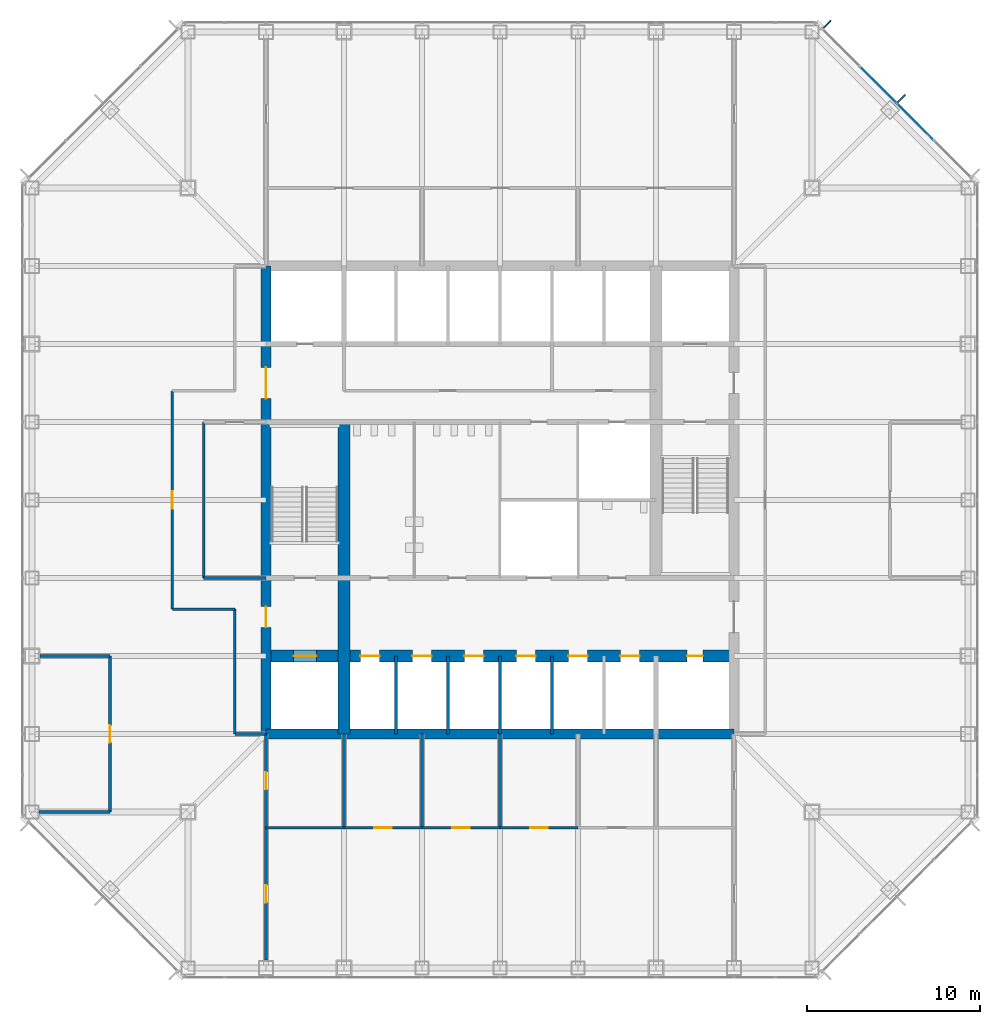
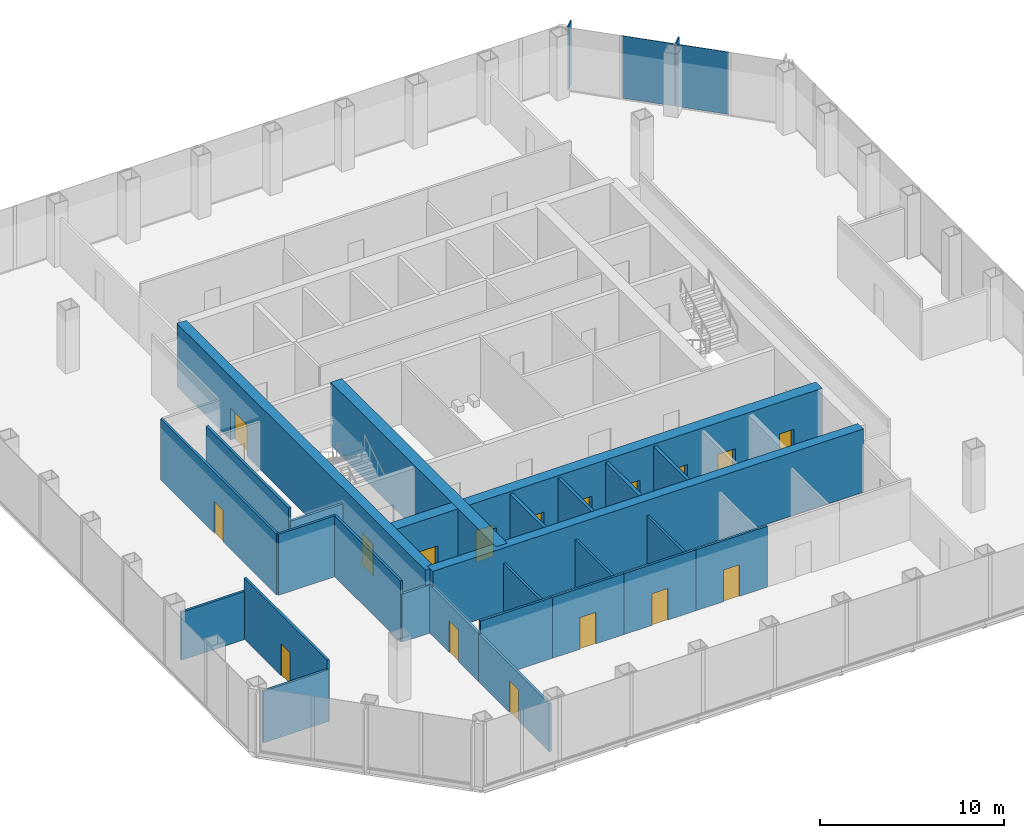
# One storey, part 8 of 12: 26 walls, 17 doors, 4 plates, 17 openings, 1 element without a shape of its own.
"""IFC4 building model written with IfcOpenShell, lengths in metres."""

from ifc_helpers import new_model, si_unit, direction, frame, frame_2d, origin, origin_2d, place, context, subcontext, project, spatial, rectangle, extrude, material, layer, layer_set, type_object, element, fill, aggregate, save


model = new_model("IFC4")

# Units and contexts
model_context = context("Model", 3, precision=1e-05, world=origin(), true_north=direction((0.0, 1.0)))
body_context = subcontext(model_context, "Body", "Model", "MODEL_VIEW")
ifc_project = project(units=[si_unit("LENGTHUNIT", "METRE"), si_unit("AREAUNIT", "SQUARE_METRE"), si_unit("VOLUMEUNIT", "CUBIC_METRE"), si_unit("PLANEANGLEUNIT", "RADIAN"), si_unit("MASSUNIT", "GRAM", prefix="KILO")], contexts=[model_context])

# Site, building, storey
site_placement = place(None, origin())
site = spatial("IfcSite", under=ifc_project, at=site_placement, CompositionType="ELEMENT")
building_placement = place(site_placement, origin())
building = spatial("IfcBuilding", under=site, at=building_placement, Name="Corais Broadcast Tower", CompositionType="ELEMENT")
storey_placement = place(building_placement, frame((0.0, 0.0, 54.199951171875)))
storey = spatial("IfcBuildingStorey", under=building, at=storey_placement, Name="L11", CompositionType="ELEMENT", Elevation=54.199951171875)

# Curtain wall, plates
ifc_material_1 = material(Name="Aluminium and glass", Category="aluminium")
curtain_wall_type = type_object("IfcCurtainWallType", Name="Unitised fritted curtain wall CW1", PredefinedType="NOTDEFINED", material=ifc_material_1)
curtain_wall_placement = place(storey_placement, origin())
curtain_wall = element("IfcCurtainWall", 1, at=curtain_wall_placement, inside=storey, type_object=curtain_wall_type, Name="CW1 curtain wall L11 5", PredefinedType="NOTDEFINED")
ifc_material_2 = material(Name="Ceramic-fritted laminated glass", Category="glass")
ifc_layer_1 = layer(ifc_material_2, 0.030029296875)
ifc_layer_set_1 = layer_set([ifc_layer_1], Name="Ceramic-fritted laminated glass")
plate_type_1 = type_object("IfcPlateType", Name="Fritted glass panel CW1", PredefinedType="CURTAIN_PANEL", material=ifc_layer_set_1)
plate_1_placement = place(storey_placement, frame((50.9658203125, 48.81201171875, 0.06494140625), z_axis=(0.0, 0.0, 1.0), x_axis=(0.707106781187, -0.707106781187, 0.0)))
plate_1 = element("IfcPlate", 2, at=plate_1_placement, type_object=plate_type_1, Name="CW1 panel 3", PredefinedType="CURTAIN_PANEL", context=body_context, shape_type="SweptSolid", body=[
    extrude(rectangle(XDim=2.98095703125, YDim=0.030029296875, at=origin_2d()), origin(), (0.0, 0.0, 1.0), 4.135009765625),
])
ifc_material_3 = material(Name="Clear laminated glass", Category="glass")
ifc_layer_2 = layer(ifc_material_3, 0.033935546875)
ifc_layer_set_2 = layer_set([ifc_layer_2], Name="Clear laminated glass")
plate_type_2 = type_object("IfcPlateType", Name="Operable glass panel CW1", PredefinedType="CURTAIN_PANEL", material=ifc_layer_set_2)
plate_2_placement = place(storey_placement, frame((48.81201171875, 50.9658203125, 0.06494140625), z_axis=(0.0, 0.0, 1.0), x_axis=(0.707106781187, -0.707106781187, 0.0)))
plate_2 = element("IfcPlate", 3, at=plate_2_placement, type_object=plate_type_2, Name="CW1 operable panel 2", PredefinedType="CURTAIN_PANEL", context=body_context, shape_type="SweptSolid", body=[
    extrude(rectangle(XDim=2.98095703125, YDim=0.033935546875, at=origin_2d()), origin(), (0.0, 0.0, 1.0), 4.135009765625),
])
aggregate(curtain_wall, [plate_2, plate_1])

# Plates
ifc_material_4 = material(Name="Granite stone cladding", Category="masonry")
ifc_layer_3 = layer(ifc_material_4, 0.080078125)
ifc_layer_set_3 = layer_set([ifc_layer_3], Name="Granite stone cladding")
plate_type_3 = type_object("IfcPlateType", Name="Stone screen fin 80x600", PredefinedType="USERDEFINED", material=ifc_layer_set_3)
for number, where, z_axis, x_axis, name in (
    (4, (45.885009765625, 54.4541015625, 0.0), (0.0, 0.0, 1.0), (0.707106781187, -0.707106781187, 0.0), "SF1 stone screen fin L11"),
    (5, (50.169677734375, 50.169677734375, 0.0), (0.0, 0.0, 1.0), (0.707106781187, -0.707106781187, 0.0), "SF1 stone screen fin L11"),
):
    element("IfcPlate", number, at=place(storey_placement, frame(where, z_axis=z_axis, x_axis=x_axis)), inside=storey, type_object=plate_type_3, Name=name, ObjectType="STONE SCREEN FIN", PredefinedType="USERDEFINED", context=body_context, shape_type="SweptSolid", body=[
        extrude(rectangle(XDim=0.080078125, YDim=0.60009765625, at=origin_2d()), origin(), (0.0, 0.0, 1.0), 4.199951171875),
    ])

# Wall
ifc_material_5 = material(Name="Concrete C50/60", Category="concrete")
ifc_layer_4 = layer(ifc_material_5, 0.699951171875)
ifc_layer_set_4 = layer_set([ifc_layer_4], Name="Concrete C50/60")
wall_type_1 = type_object("IfcWallType", Name="Core spine wall 700", PredefinedType="SHEAR", material=ifc_layer_set_4)
wall_1_placement = place(storey_placement, frame((18.0, 13.5, 0.0), z_axis=(0.0, 0.0, 1.0), x_axis=(0.0, 1.0, 0.0)))
element("IfcWall", 6, at=wall_1_placement, inside=storey, type_object=wall_type_1, Name="CR700 core wall X18A L11", PredefinedType="SHEAR", context=body_context, shape_type="SweptSolid", body=[
    extrude(rectangle(XDim=18.0, YDim=0.699951171875, at=frame_2d((9.0, 0.0))), origin(), (0.0, 0.0, 1.0), 4.199951171875),
])

# Wall, openings, doors
wall_2_placement = place(storey_placement, frame((13.5, 18.0, 0.0), z_axis=(0.0, 0.0, 1.0), x_axis=(1.0, 0.0, 0.0)))
wall_2 = element("IfcWall", 7, at=wall_2_placement, inside=storey, type_object=wall_type_1, Name="CR700 core wall Y18 L11", PredefinedType="SHEAR", context=body_context, shape_type="SweptSolid", body=[
    extrude(rectangle(XDim=27.0, YDim=0.699951171875, at=frame_2d((13.5, 0.0))), origin(), (0.0, 0.0, 1.0), 4.199951171875),
])
opening_1_placement = place(wall_2_placement, frame((24.300048828125, 0.0, 0.0)))
opening_1 = element("IfcOpeningElement", 8, at=opening_1_placement, cuts=wall_2, Name="Opening RD1", PredefinedType="OPENING", context=body_context, shape_type="SweptSolid", body=[
    extrude(rectangle(XDim=0.89990234375, YDim=2.10009765625, at=frame_2d((0.449951171875, 1.050048828125))), frame((0.0, 0.35986328125, 0.0), z_axis=(0.0, -1.0, 0.0), x_axis=(1.0, 0.0, 0.0)), (0.0, 0.0, 1.0), 0.719970703125),
])
opening_2_placement = place(wall_2_placement, frame((5.449951171875, 0.0, 0.0)))
opening_2 = element("IfcOpeningElement", 9, at=opening_2_placement, cuts=wall_2, Name="Opening LD1", PredefinedType="OPENING", context=body_context, shape_type="SweptSolid", body=[
    extrude(rectangle(XDim=1.10009765625, YDim=2.10009765625, at=frame_2d((0.550048828125, 1.050048828125))), frame((0.0, 0.35986328125, 0.0), z_axis=(0.0, -1.0, 0.0), x_axis=(1.0, 0.0, 0.0)), (0.0, 0.0, 1.0), 0.719970703125),
])
opening_3_placement = place(wall_2_placement, frame((8.449951171875, 0.0, 0.0)))
opening_3 = element("IfcOpeningElement", 10, at=opening_3_placement, cuts=wall_2, Name="Opening LD1", PredefinedType="OPENING", context=body_context, shape_type="SweptSolid", body=[
    extrude(rectangle(XDim=1.10009765625, YDim=2.10009765625, at=frame_2d((0.550048828125, 1.050048828125))), frame((0.0, 0.35986328125, 0.0), z_axis=(0.0, -1.0, 0.0), x_axis=(1.0, 0.0, 0.0)), (0.0, 0.0, 1.0), 0.719970703125),
])
opening_4_placement = place(wall_2_placement, frame((11.449951171875, 0.0, 0.0)))
opening_4 = element("IfcOpeningElement", 11, at=opening_4_placement, cuts=wall_2, Name="Opening LD1", PredefinedType="OPENING", context=body_context, shape_type="SweptSolid", body=[
    extrude(rectangle(XDim=1.10009765625, YDim=2.10009765625, at=frame_2d((0.550048828125, 1.050048828125))), frame((0.0, 0.35986328125, 0.0), z_axis=(0.0, -1.0, 0.0), x_axis=(1.0, 0.0, 0.0)), (0.0, 0.0, 1.0), 0.719970703125),
])
opening_5_placement = place(wall_2_placement, frame((14.449951171875, 0.0, 0.0)))
opening_5 = element("IfcOpeningElement", 12, at=opening_5_placement, cuts=wall_2, Name="Opening LD1", PredefinedType="OPENING", context=body_context, shape_type="SweptSolid", body=[
    extrude(rectangle(XDim=1.10009765625, YDim=2.10009765625, at=frame_2d((0.550048828125, 1.050048828125))), frame((0.0, 0.35986328125, 0.0), z_axis=(0.0, -1.0, 0.0), x_axis=(1.0, 0.0, 0.0)), (0.0, 0.0, 1.0), 0.719970703125),
])
opening_6_placement = place(wall_2_placement, frame((17.449951171875, 0.0, 0.0)))
opening_6 = element("IfcOpeningElement", 13, at=opening_6_placement, cuts=wall_2, Name="Opening LD1", PredefinedType="OPENING", context=body_context, shape_type="SweptSolid", body=[
    extrude(rectangle(XDim=1.10009765625, YDim=2.10009765625, at=frame_2d((0.550048828125, 1.050048828125))), frame((0.0, 0.35986328125, 0.0), z_axis=(0.0, -1.0, 0.0), x_axis=(1.0, 0.0, 0.0)), (0.0, 0.0, 1.0), 0.719970703125),
])
opening_7_placement = place(wall_2_placement, frame((20.449951171875, 0.0, 0.0)))
opening_7 = element("IfcOpeningElement", 14, at=opening_7_placement, cuts=wall_2, Name="Opening LD1", PredefinedType="OPENING", context=body_context, shape_type="SweptSolid", body=[
    extrude(rectangle(XDim=1.10009765625, YDim=2.10009765625, at=frame_2d((0.550048828125, 1.050048828125))), frame((0.0, 0.35986328125, 0.0), z_axis=(0.0, -1.0, 0.0), x_axis=(1.0, 0.0, 0.0)), (0.0, 0.0, 1.0), 0.719970703125),
])
opening_8_placement = place(wall_2_placement, frame((1.60009765625, 0.0, 0.0)))
opening_8 = element("IfcOpeningElement", 15, at=opening_8_placement, cuts=wall_2, Name="Opening LD2", PredefinedType="OPENING", context=body_context, shape_type="SweptSolid", body=[
    extrude(rectangle(XDim=1.300048828125, YDim=2.199951171875, at=frame_2d((0.64990234375, 1.10009765625))), frame((0.0, 0.35986328125, 0.0), z_axis=(0.0, -1.0, 0.0), x_axis=(1.0, 0.0, 0.0)), (0.0, 0.0, 1.0), 0.719970703125),
])
ifc_material_6 = material(Name="Stainless steel lift door", Category="steel")
door_type_1 = type_object("IfcDoorType", Name="Lift landing door 1100x2100", OperationType="SLIDING_TO_LEFT", PredefinedType="DOOR", material=ifc_material_6)
door_1_placement = place(opening_2_placement, origin())
door_1 = element("IfcDoor", 16, at=door_1_placement, inside=storey, type_object=door_type_1, Name="LD1 PL1 landing door L11", OperationType="SLIDING_TO_LEFT", OverallHeight=2.10009765625, OverallWidth=1.10009765625, PredefinedType="DOOR", context=body_context, shape_type="SweptSolid", body=[
    extrude(rectangle(XDim=1.10009765625, YDim=2.10009765625, at=frame_2d((0.550048828125, 1.050048828125))), frame((0.0, 0.02490234375, 0.0), z_axis=(0.0, -1.0, 0.0), x_axis=(1.0, 0.0, 0.0)), (0.0, 0.0, 1.0), 0.050048828125),
])
fill(opening_2, door_1)
door_2_placement = place(opening_3_placement, origin())
door_2 = element("IfcDoor", 17, at=door_2_placement, inside=storey, type_object=door_type_1, Name="LD1 PL2 landing door L11", OperationType="SLIDING_TO_LEFT", OverallHeight=2.10009765625, OverallWidth=1.10009765625, PredefinedType="DOOR", context=body_context, shape_type="SweptSolid", body=[
    extrude(rectangle(XDim=1.10009765625, YDim=2.10009765625, at=frame_2d((0.550048828125, 1.050048828125))), frame((0.0, 0.02490234375, 0.0), z_axis=(0.0, -1.0, 0.0), x_axis=(1.0, 0.0, 0.0)), (0.0, 0.0, 1.0), 0.050048828125),
])
fill(opening_3, door_2)
door_3_placement = place(opening_4_placement, origin())
door_3 = element("IfcDoor", 18, at=door_3_placement, inside=storey, type_object=door_type_1, Name="LD1 PL3 landing door L11", OperationType="SLIDING_TO_LEFT", OverallHeight=2.10009765625, OverallWidth=1.10009765625, PredefinedType="DOOR", context=body_context, shape_type="SweptSolid", body=[
    extrude(rectangle(XDim=1.10009765625, YDim=2.10009765625, at=frame_2d((0.550048828125, 1.050048828125))), frame((0.0, 0.02490234375, 0.0), z_axis=(0.0, -1.0, 0.0), x_axis=(1.0, 0.0, 0.0)), (0.0, 0.0, 1.0), 0.050048828125),
])
fill(opening_4, door_3)
door_4_placement = place(opening_5_placement, origin())
door_4 = element("IfcDoor", 19, at=door_4_placement, inside=storey, type_object=door_type_1, Name="LD1 PL4 landing door L11", OperationType="SLIDING_TO_LEFT", OverallHeight=2.10009765625, OverallWidth=1.10009765625, PredefinedType="DOOR", context=body_context, shape_type="SweptSolid", body=[
    extrude(rectangle(XDim=1.10009765625, YDim=2.10009765625, at=frame_2d((0.550048828125, 1.050048828125))), frame((0.0, 0.02490234375, 0.0), z_axis=(0.0, -1.0, 0.0), x_axis=(1.0, 0.0, 0.0)), (0.0, 0.0, 1.0), 0.050048828125),
])
fill(opening_5, door_4)
door_5_placement = place(opening_6_placement, origin())
door_5 = element("IfcDoor", 20, at=door_5_placement, inside=storey, type_object=door_type_1, Name="LD1 PL5 landing door L11", OperationType="SLIDING_TO_LEFT", OverallHeight=2.10009765625, OverallWidth=1.10009765625, PredefinedType="DOOR", context=body_context, shape_type="SweptSolid", body=[
    extrude(rectangle(XDim=1.10009765625, YDim=2.10009765625, at=frame_2d((0.550048828125, 1.050048828125))), frame((0.0, 0.02490234375, 0.0), z_axis=(0.0, -1.0, 0.0), x_axis=(1.0, 0.0, 0.0)), (0.0, 0.0, 1.0), 0.050048828125),
])
fill(opening_6, door_5)
door_6_placement = place(opening_7_placement, origin())
door_6 = element("IfcDoor", 21, at=door_6_placement, inside=storey, type_object=door_type_1, Name="LD1 PL6 landing door L11", OperationType="SLIDING_TO_LEFT", OverallHeight=2.10009765625, OverallWidth=1.10009765625, PredefinedType="DOOR", context=body_context, shape_type="SweptSolid", body=[
    extrude(rectangle(XDim=1.10009765625, YDim=2.10009765625, at=frame_2d((0.550048828125, 1.050048828125))), frame((0.0, 0.02490234375, 0.0), z_axis=(0.0, -1.0, 0.0), x_axis=(1.0, 0.0, 0.0)), (0.0, 0.0, 1.0), 0.050048828125),
])
fill(opening_7, door_6)
ifc_material_7 = material(Name="Stainless steel lift door", Category="steel")
door_type_2 = type_object("IfcDoorType", Name="Lift landing door 1300x2200", OperationType="SLIDING_TO_LEFT", PredefinedType="DOOR", material=ifc_material_7)
door_7_placement = place(opening_8_placement, origin())
door_7 = element("IfcDoor", 22, at=door_7_placement, inside=storey, type_object=door_type_2, Name="LD2 FL1 landing door L11", OperationType="SLIDING_TO_LEFT", OverallHeight=2.199951171875, OverallWidth=1.300048828125, PredefinedType="DOOR", context=body_context, shape_type="SweptSolid", body=[
    extrude(rectangle(XDim=1.300048828125, YDim=2.199951171875, at=frame_2d((0.64990234375, 1.10009765625))), frame((0.0, 0.02490234375, 0.0), z_axis=(0.0, -1.0, 0.0), x_axis=(1.0, 0.0, 0.0)), (0.0, 0.0, 1.0), 0.050048828125),
])
fill(opening_8, door_7)
ifc_material_8 = material(Name="Steel fire door", Category="steel")
door_type_3 = type_object("IfcDoorType", Name="Riser door 900x2100", OperationType="SINGLE_SWING_LEFT", PredefinedType="DOOR", material=ifc_material_8)
door_8_placement = place(opening_1_placement, origin())
door_8 = element("IfcDoor", 23, at=door_8_placement, inside=storey, type_object=door_type_3, Name="RD1 riser door L11", OperationType="SINGLE_SWING_RIGHT", OverallHeight=2.10009765625, OverallWidth=0.89990234375, PredefinedType="DOOR", context=body_context, shape_type="SweptSolid", body=[
    extrude(rectangle(XDim=0.89990234375, YDim=2.10009765625, at=frame_2d((0.449951171875, 1.050048828125))), frame((0.0, 0.02490234375, 0.0), z_axis=(0.0, -1.0, 0.0), x_axis=(1.0, 0.0, 0.0)), (0.0, 0.0, 1.0), 0.050048828125),
])
fill(opening_1, door_8)

# Wall
ifc_material_9 = material(Name="Concrete C50/60", Category="concrete")
ifc_layer_5 = layer(ifc_material_9, 0.60009765625)
ifc_layer_set_5 = layer_set([ifc_layer_5], Name="Concrete C50/60")
wall_type_2 = type_object("IfcWallType", Name="Core wall 600", PredefinedType="SHEAR", material=ifc_layer_set_5)
wall_3_placement = place(storey_placement, frame((13.5, 13.5, 0.0), z_axis=(0.0, 0.0, 1.0), x_axis=(1.0, 0.0, 0.0)))
element("IfcWall", 24, at=wall_3_placement, inside=storey, type_object=wall_type_2, Name="CR600 core wall S L11", PredefinedType="SHEAR", context=body_context, shape_type="SweptSolid", body=[
    extrude(rectangle(XDim=27.0, YDim=0.60009765625, at=frame_2d((13.5, 0.0))), origin(), (0.0, 0.0, 1.0), 4.199951171875),
])

# Wall, openings, doors
wall_4_placement = place(storey_placement, frame((13.5, 40.5, 0.0), z_axis=(0.0, 0.0, 1.0), x_axis=(0.0, -1.0, 0.0)))
wall_4 = element("IfcWall", 25, at=wall_4_placement, inside=storey, type_object=wall_type_2, Name="CR600 core wall W L11", PredefinedType="SHEAR", context=body_context, shape_type="SweptSolid", body=[
    extrude(rectangle(XDim=27.0, YDim=0.60009765625, at=frame_2d((13.5, 0.0))), origin(), (0.0, 0.0, 1.0), 4.199951171875),
])
opening_9_placement = place(wall_4_placement, frame((19.64990234375, 0.0, 0.0)))
opening_9 = element("IfcOpeningElement", 26, at=opening_9_placement, cuts=wall_4, Name="Opening FD1", PredefinedType="OPENING", context=body_context, shape_type="SweptSolid", body=[
    extrude(rectangle(XDim=1.199951171875, YDim=2.10009765625, at=frame_2d((0.60009765625, 1.050048828125))), frame((0.0, 0.31005859375, 0.0), z_axis=(0.0, -1.0, 0.0), x_axis=(1.0, 0.0, 0.0)), (0.0, 0.0, 1.0), 0.6201171875),
])
opening_10_placement = place(wall_4_placement, frame((5.85009765625, 0.0, 0.0)))
opening_10 = element("IfcOpeningElement", 27, at=opening_10_placement, cuts=wall_4, Name="Opening FD2", PredefinedType="OPENING", context=body_context, shape_type="SweptSolid", body=[
    extrude(rectangle(XDim=1.800048828125, YDim=2.10009765625, at=frame_2d((0.89990234375, 1.050048828125))), frame((0.0, 0.31005859375, 0.0), z_axis=(0.0, -1.0, 0.0), x_axis=(1.0, 0.0, 0.0)), (0.0, 0.0, 1.0), 0.6201171875),
])
ifc_material_10 = material(Name="Steel fire door", Category="steel")
door_type_4 = type_object("IfcDoorType", Name="Fire door 1200x2100", OperationType="SINGLE_SWING_LEFT", PredefinedType="DOOR", material=ifc_material_10)
door_9_placement = place(opening_9_placement, origin())
door_9 = element("IfcDoor", 28, at=door_9_placement, inside=storey, type_object=door_type_4, Name="FD1 fire lobby A door L11", OperationType="SINGLE_SWING_RIGHT", OverallHeight=2.10009765625, OverallWidth=1.199951171875, PredefinedType="DOOR", context=body_context, shape_type="SweptSolid", body=[
    extrude(rectangle(XDim=1.199951171875, YDim=2.10009765625, at=frame_2d((0.60009765625, 1.050048828125))), frame((0.0, 0.02490234375, 0.0), z_axis=(0.0, -1.0, 0.0), x_axis=(1.0, 0.0, 0.0)), (0.0, 0.0, 1.0), 0.050048828125),
])
fill(opening_9, door_9)
ifc_material_11 = material(Name="Steel fire door", Category="steel")
door_type_5 = type_object("IfcDoorType", Name="Fire door pair 1800x2100", OperationType="DOUBLE_DOOR_SINGLE_SWING", PredefinedType="DOOR", material=ifc_material_11)
door_10_placement = place(opening_10_placement, origin())
door_10 = element("IfcDoor", 29, at=door_10_placement, inside=storey, type_object=door_type_5, Name="FD2 lift lobby door L11", OperationType="SINGLE_SWING_LEFT", OverallHeight=2.10009765625, OverallWidth=1.800048828125, PredefinedType="DOOR", context=body_context, shape_type="SweptSolid", body=[
    extrude(rectangle(XDim=1.800048828125, YDim=2.10009765625, at=frame_2d((0.89990234375, 1.050048828125))), frame((0.0, 0.02490234375, 0.0), z_axis=(0.0, -1.0, 0.0), x_axis=(1.0, 0.0, 0.0)), (0.0, 0.0, 1.0), 0.050048828125),
])
fill(opening_10, door_10)

# Wall, opening, door
ifc_material_12 = material(Name="Gypsum board on steel studs", Category="steel")
ifc_layer_6 = layer(ifc_material_12, 0.14990234375)
ifc_layer_set_6 = layer_set([ifc_layer_6], Name="Gypsum board on steel studs")
wall_type_3 = type_object("IfcWallType", Name="Partition 150", PredefinedType="PARTITIONING", material=ifc_layer_set_6)
wall_5_placement = place(storey_placement, frame((8.10009765625, 33.300048828125, 0.0), z_axis=(0.0, 0.0, 1.0), x_axis=(0.0, -1.0, 0.0)))
wall_5 = element("IfcWall", 30, at=wall_5_placement, inside=storey, type_object=wall_type_3, Name="IW3 corridor wall L11", PredefinedType="PARTITIONING", context=body_context, shape_type="SweptSolid", body=[
    extrude(rectangle(XDim=12.60009765625, YDim=0.14990234375, at=frame_2d((6.300048828125, 0.0))), origin(), (0.0, 0.0, 1.0), 4.0400390625),
])
opening_11_placement = place(wall_5_placement, frame((5.800048828125, 0.0, 0.0)))
opening_11 = element("IfcOpeningElement", 31, at=opening_11_placement, cuts=wall_5, Name="Opening D1", PredefinedType="OPENING", context=body_context, shape_type="SweptSolid", body=[
    extrude(rectangle(XDim=1.0, YDim=2.10009765625, at=frame_2d((0.5, 1.050048828125))), frame((0.0, 0.0849609375, 0.0), z_axis=(0.0, -1.0, 0.0), x_axis=(1.0, 0.0, 0.0)), (0.0, 0.0, 1.0), 0.169921875),
])
ifc_material_13 = material(Name="Timber door", Category="wood")
door_type_6 = type_object("IfcDoorType", Name="Single door 1000x2100", OperationType="SINGLE_SWING_LEFT", PredefinedType="DOOR", material=ifc_material_13)
door_11_placement = place(opening_11_placement, origin())
door_11 = element("IfcDoor", 32, at=door_11_placement, inside=storey, type_object=door_type_6, Name="D1 workplace door L11", OperationType="SINGLE_SWING_LEFT", OverallHeight=2.10009765625, OverallWidth=1.0, PredefinedType="DOOR", context=body_context, shape_type="SweptSolid", body=[
    extrude(rectangle(XDim=1.0, YDim=2.10009765625, at=frame_2d((0.5, 1.050048828125))), frame((0.0, 0.02490234375, 0.0), z_axis=(0.0, -1.0, 0.0), x_axis=(1.0, 0.0, 0.0)), (0.0, 0.0, 1.0), 0.050048828125),
])
fill(opening_11, door_11)

# Walls
wall_6_placement = place(storey_placement, frame((11.699951171875, 20.699951171875, 0.0), z_axis=(0.0, 0.0, 1.0), x_axis=(0.0, -1.0, 0.0)))
element("IfcWall", 33, at=wall_6_placement, inside=storey, type_object=wall_type_3, Name="IW3 corridor wall L11", PredefinedType="PARTITIONING", context=body_context, shape_type="SweptSolid", body=[
    extrude(rectangle(XDim=7.199951171875, YDim=0.14990234375, at=frame_2d((3.60009765625, 0.0))), origin(), (0.0, 0.0, 1.0), 4.0400390625),
])
wall_7_placement = place(storey_placement, frame((8.10009765625, 20.699951171875, 0.0), z_axis=(0.0, 0.0, 1.0), x_axis=(1.0, 0.0, 0.0)))
element("IfcWall", 34, at=wall_7_placement, inside=storey, type_object=wall_type_3, Name="IW3 corridor wall L11", PredefinedType="PARTITIONING", context=body_context, shape_type="SweptSolid", body=[
    extrude(rectangle(XDim=3.599853515625, YDim=0.14990234375, at=frame_2d((1.7998046875, 0.0))), origin(), (0.0, 0.0, 1.0), 4.0400390625),
])
wall_8_placement = place(storey_placement, frame((11.699951171875, 13.5, 0.0), z_axis=(0.0, 0.0, 1.0), x_axis=(1.0, 0.0, 0.0)))
element("IfcWall", 35, at=wall_8_placement, inside=storey, type_object=wall_type_3, Name="IW3 corridor wall L11", PredefinedType="PARTITIONING", context=body_context, shape_type="SweptSolid", body=[
    extrude(rectangle(XDim=1.800048828125, YDim=0.14990234375, at=frame_2d((0.89990234375, 0.0))), origin(), (0.0, 0.0, 1.0), 3.18896484375),
])
wall_9_placement = place(storey_placement, frame((13.5, 8.10009765625, 0.0), z_axis=(0.0, 0.0, 1.0), x_axis=(1.0, 0.0, 0.0)))
element("IfcWall", 36, at=wall_9_placement, inside=storey, type_object=wall_type_3, Name="IW3 partition L11", PredefinedType="PARTITIONING", context=body_context, shape_type="SweptSolid", body=[
    extrude(rectangle(XDim=4.5, YDim=0.14990234375, at=frame_2d((2.25, 0.0))), origin(), (0.0, 0.0, 1.0), 4.0400390625),
])
wall_10_placement = place(storey_placement, frame((18.0, 8.10009765625, 0.0), z_axis=(0.0, 0.0, 1.0), x_axis=(0.0, 1.0, 0.0)))
element("IfcWall", 37, at=wall_10_placement, inside=storey, type_object=wall_type_3, Name="IW3 partition L11", PredefinedType="PARTITIONING", context=body_context, shape_type="SweptSolid", body=[
    extrude(rectangle(XDim=5.39990234375, YDim=0.14990234375, at=frame_2d((2.699951171875, 0.0))), origin(), (0.0, 0.0, 1.0), 3.18896484375),
])

# Wall, opening, door
wall_11_placement = place(storey_placement, frame((13.5, 13.5, 0.0), z_axis=(0.0, 0.0, 1.0), x_axis=(0.0, -1.0, 0.0)))
wall_11 = element("IfcWall", 38, at=wall_11_placement, inside=storey, type_object=wall_type_3, Name="IW3 partition L11", PredefinedType="PARTITIONING", context=body_context, shape_type="SweptSolid", body=[
    extrude(rectangle(XDim=5.39990234375, YDim=0.14990234375, at=frame_2d((2.699951171875, 0.0))), origin(), (0.0, 0.0, 1.0), 3.18896484375),
])
opening_12_placement = place(wall_11_placement, frame((2.199951171875, 0.0, 0.0)))
opening_12 = element("IfcOpeningElement", 39, at=opening_12_placement, cuts=wall_11, Name="Opening D1", PredefinedType="OPENING", context=body_context, shape_type="SweptSolid", body=[
    extrude(rectangle(XDim=1.0, YDim=2.10009765625, at=frame_2d((0.5, 1.050048828125))), frame((0.0, 0.0849609375, 0.0), z_axis=(0.0, -1.0, 0.0), x_axis=(1.0, 0.0, 0.0)), (0.0, 0.0, 1.0), 0.169921875),
])
door_12_placement = place(opening_12_placement, origin())
door_12 = element("IfcDoor", 40, at=door_12_placement, inside=storey, type_object=door_type_6, Name="D1 Edit suite door", OperationType="SINGLE_SWING_LEFT", OverallHeight=2.10009765625, OverallWidth=1.0, PredefinedType="DOOR", context=body_context, shape_type="SweptSolid", body=[
    extrude(rectangle(XDim=1.0, YDim=2.10009765625, at=frame_2d((0.5, 1.050048828125))), frame((0.0, 0.02490234375, 0.0), z_axis=(0.0, -1.0, 0.0), x_axis=(1.0, 0.0, 0.0)), (0.0, 0.0, 1.0), 0.050048828125),
])
fill(opening_12, door_12)

wall_12_placement = place(storey_placement, frame((18.0, 8.10009765625, 0.0), z_axis=(0.0, 0.0, 1.0), x_axis=(1.0, 0.0, 0.0)))
wall_12 = element("IfcWall", 41, at=wall_12_placement, inside=storey, type_object=wall_type_3, Name="IW3 partition L11", PredefinedType="PARTITIONING", context=body_context, shape_type="SweptSolid", body=[
    extrude(rectangle(XDim=4.5, YDim=0.14990234375, at=frame_2d((2.25, 0.0))), origin(), (0.0, 0.0, 1.0), 4.0400390625),
])
opening_13_placement = place(wall_12_placement, frame((1.75, 0.0, 0.0)))
opening_13 = element("IfcOpeningElement", 42, at=opening_13_placement, cuts=wall_12, Name="Opening D1", PredefinedType="OPENING", context=body_context, shape_type="SweptSolid", body=[
    extrude(rectangle(XDim=1.0, YDim=2.10009765625, at=frame_2d((0.5, 1.050048828125))), frame((0.0, 0.0849609375, 0.0), z_axis=(0.0, -1.0, 0.0), x_axis=(1.0, 0.0, 0.0)), (0.0, 0.0, 1.0), 0.169921875),
])
door_13_placement = place(opening_13_placement, origin())
door_13 = element("IfcDoor", 43, at=door_13_placement, inside=storey, type_object=door_type_6, Name="D1 Edit suite door", OperationType="SINGLE_SWING_LEFT", OverallHeight=2.10009765625, OverallWidth=1.0, PredefinedType="DOOR", context=body_context, shape_type="SweptSolid", body=[
    extrude(rectangle(XDim=1.0, YDim=2.10009765625, at=frame_2d((0.5, 1.050048828125))), frame((0.0, 0.02490234375, 0.0), z_axis=(0.0, -1.0, 0.0), x_axis=(1.0, 0.0, 0.0)), (0.0, 0.0, 1.0), 0.050048828125),
])
fill(opening_13, door_13)

# Wall
wall_13_placement = place(storey_placement, frame((22.5, 8.10009765625, 0.0), z_axis=(0.0, 0.0, 1.0), x_axis=(0.0, 1.0, 0.0)))
element("IfcWall", 44, at=wall_13_placement, inside=storey, type_object=wall_type_3, Name="IW3 partition L11", PredefinedType="PARTITIONING", context=body_context, shape_type="SweptSolid", body=[
    extrude(rectangle(XDim=5.39990234375, YDim=0.14990234375, at=frame_2d((2.699951171875, 0.0))), origin(), (0.0, 0.0, 1.0), 3.18896484375),
])

# Wall, opening, door
wall_14_placement = place(storey_placement, frame((22.5, 8.10009765625, 0.0), z_axis=(0.0, 0.0, 1.0), x_axis=(1.0, 0.0, 0.0)))
wall_14 = element("IfcWall", 45, at=wall_14_placement, inside=storey, type_object=wall_type_3, Name="IW3 partition L11", PredefinedType="PARTITIONING", context=body_context, shape_type="SweptSolid", body=[
    extrude(rectangle(XDim=4.5, YDim=0.14990234375, at=frame_2d((2.25, 0.0))), origin(), (0.0, 0.0, 1.0), 4.0400390625),
])
opening_14_placement = place(wall_14_placement, frame((1.75, 0.0, 0.0)))
opening_14 = element("IfcOpeningElement", 46, at=opening_14_placement, cuts=wall_14, Name="Opening D1", PredefinedType="OPENING", context=body_context, shape_type="SweptSolid", body=[
    extrude(rectangle(XDim=1.0, YDim=2.10009765625, at=frame_2d((0.5, 1.050048828125))), frame((0.0, 0.0849609375, 0.0), z_axis=(0.0, -1.0, 0.0), x_axis=(1.0, 0.0, 0.0)), (0.0, 0.0, 1.0), 0.169921875),
])
door_14_placement = place(opening_14_placement, origin())
door_14 = element("IfcDoor", 47, at=door_14_placement, inside=storey, type_object=door_type_6, Name="D1 Edit suite door", OperationType="SINGLE_SWING_LEFT", OverallHeight=2.10009765625, OverallWidth=1.0, PredefinedType="DOOR", context=body_context, shape_type="SweptSolid", body=[
    extrude(rectangle(XDim=1.0, YDim=2.10009765625, at=frame_2d((0.5, 1.050048828125))), frame((0.0, 0.02490234375, 0.0), z_axis=(0.0, -1.0, 0.0), x_axis=(1.0, 0.0, 0.0)), (0.0, 0.0, 1.0), 0.050048828125),
])
fill(opening_14, door_14)

# Wall
wall_15_placement = place(storey_placement, frame((27.0, 8.10009765625, 0.0), z_axis=(0.0, 0.0, 1.0), x_axis=(0.0, 1.0, 0.0)))
element("IfcWall", 48, at=wall_15_placement, inside=storey, type_object=wall_type_3, Name="IW3 partition L11", PredefinedType="PARTITIONING", context=body_context, shape_type="SweptSolid", body=[
    extrude(rectangle(XDim=5.39990234375, YDim=0.14990234375, at=frame_2d((2.699951171875, 0.0))), origin(), (0.0, 0.0, 1.0), 3.18896484375),
])

# Wall, opening, door
wall_16_placement = place(storey_placement, frame((27.0, 8.10009765625, 0.0), z_axis=(0.0, 0.0, 1.0), x_axis=(1.0, 0.0, 0.0)))
wall_16 = element("IfcWall", 49, at=wall_16_placement, inside=storey, type_object=wall_type_3, Name="IW3 partition L11", PredefinedType="PARTITIONING", context=body_context, shape_type="SweptSolid", body=[
    extrude(rectangle(XDim=4.5, YDim=0.14990234375, at=frame_2d((2.25, 0.0))), origin(), (0.0, 0.0, 1.0), 4.0400390625),
])
opening_15_placement = place(wall_16_placement, frame((1.75, 0.0, 0.0)))
opening_15 = element("IfcOpeningElement", 50, at=opening_15_placement, cuts=wall_16, Name="Opening D1", PredefinedType="OPENING", context=body_context, shape_type="SweptSolid", body=[
    extrude(rectangle(XDim=1.0, YDim=2.10009765625, at=frame_2d((0.5, 1.050048828125))), frame((0.0, 0.0849609375, 0.0), z_axis=(0.0, -1.0, 0.0), x_axis=(1.0, 0.0, 0.0)), (0.0, 0.0, 1.0), 0.169921875),
])
door_15_placement = place(opening_15_placement, origin())
door_15 = element("IfcDoor", 51, at=door_15_placement, inside=storey, type_object=door_type_6, Name="D1 Edit suite door", OperationType="SINGLE_SWING_LEFT", OverallHeight=2.10009765625, OverallWidth=1.0, PredefinedType="DOOR", context=body_context, shape_type="SweptSolid", body=[
    extrude(rectangle(XDim=1.0, YDim=2.10009765625, at=frame_2d((0.5, 1.050048828125))), frame((0.0, 0.02490234375, 0.0), z_axis=(0.0, -1.0, 0.0), x_axis=(1.0, 0.0, 0.0)), (0.0, 0.0, 1.0), 0.050048828125),
])
fill(opening_15, door_15)

# Walls
wall_17_placement = place(storey_placement, frame((9.89990234375, 22.5, 0.0), z_axis=(0.0, 0.0, 1.0), x_axis=(1.0, 0.0, 0.0)))
element("IfcWall", 52, at=wall_17_placement, inside=storey, type_object=wall_type_3, Name="IW3 partition L11", PredefinedType="PARTITIONING", context=body_context, shape_type="SweptSolid", body=[
    extrude(rectangle(XDim=3.60009765625, YDim=0.14990234375, at=frame_2d((1.800048828125, 0.0))), origin(), (0.0, 0.0, 1.0), 3.18896484375),
])
wall_18_placement = place(storey_placement, frame((9.89990234375, 31.5, 0.0), z_axis=(0.0, 0.0, 1.0), x_axis=(0.0, -1.0, 0.0)))
element("IfcWall", 53, at=wall_18_placement, inside=storey, type_object=wall_type_3, Name="IW3 partition L11", PredefinedType="PARTITIONING", context=body_context, shape_type="SweptSolid", body=[
    extrude(rectangle(XDim=9.0, YDim=0.14990234375, at=frame_2d((4.5, 0.0))), origin(), (0.0, 0.0, 1.0), 4.0400390625),
])
wall_19_placement = place(storey_placement, frame((0.409912109375, 9.0, 0.0), z_axis=(0.0, 0.0, 1.0), x_axis=(1.0, 0.0, 0.0)))
element("IfcWall", 54, at=wall_19_placement, inside=storey, type_object=wall_type_3, Name="IW3 partition L11", PredefinedType="PARTITIONING", context=body_context, shape_type="SweptSolid", body=[
    extrude(rectangle(XDim=4.090087890625, YDim=0.14990234375, at=frame_2d((2.044921875, 0.0))), origin(), (0.0, 0.0, 1.0), 3.428955078125),
])

# Wall, opening, door
wall_20_placement = place(storey_placement, frame((4.5, 9.0, 0.0), z_axis=(0.0, 0.0, 1.0), x_axis=(0.0, 1.0, 0.0)))
wall_20 = element("IfcWall", 55, at=wall_20_placement, inside=storey, type_object=wall_type_3, Name="IW3 partition L11", PredefinedType="PARTITIONING", context=body_context, shape_type="SweptSolid", body=[
    extrude(rectangle(XDim=9.0, YDim=0.14990234375, at=frame_2d((4.5, 0.0))), origin(), (0.0, 0.0, 1.0), 4.0400390625),
])
opening_16_placement = place(wall_20_placement, frame((4.0, 0.0, 0.0)))
opening_16 = element("IfcOpeningElement", 56, at=opening_16_placement, cuts=wall_20, Name="Opening D1", PredefinedType="OPENING", context=body_context, shape_type="SweptSolid", body=[
    extrude(rectangle(XDim=1.0, YDim=2.10009765625, at=frame_2d((0.5, 1.050048828125))), frame((0.0, 0.0849609375, 0.0), z_axis=(0.0, -1.0, 0.0), x_axis=(1.0, 0.0, 0.0)), (0.0, 0.0, 1.0), 0.169921875),
])
door_16_placement = place(opening_16_placement, origin())
door_16 = element("IfcDoor", 57, at=door_16_placement, inside=storey, type_object=door_type_6, Name="D1 Media store door", OperationType="SINGLE_SWING_LEFT", OverallHeight=2.10009765625, OverallWidth=1.0, PredefinedType="DOOR", context=body_context, shape_type="SweptSolid", body=[
    extrude(rectangle(XDim=1.0, YDim=2.10009765625, at=frame_2d((0.5, 1.050048828125))), frame((0.0, 0.02490234375, 0.0), z_axis=(0.0, -1.0, 0.0), x_axis=(1.0, 0.0, 0.0)), (0.0, 0.0, 1.0), 0.050048828125),
])
fill(opening_16, door_16)

# Wall
wall_21_placement = place(storey_placement, frame((4.5, 18.0, 0.0), z_axis=(0.0, 0.0, 1.0), x_axis=(-1.0, 0.0, 0.0)))
element("IfcWall", 58, at=wall_21_placement, inside=storey, type_object=wall_type_3, Name="IW3 partition L11", PredefinedType="PARTITIONING", context=body_context, shape_type="SweptSolid", body=[
    extrude(rectangle(XDim=4.0400390625, YDim=0.14990234375, at=frame_2d((2.02001953125, 0.0))), origin(), (0.0, 0.0, 1.0), 3.18896484375),
])

# Wall, opening, door
wall_22_placement = place(storey_placement, frame((13.5, 0.445068359375, 0.0), z_axis=(0.0, 0.0, 1.0), x_axis=(0.0, 1.0, 0.0)))
wall_22 = element("IfcWall", 59, at=wall_22_placement, inside=storey, type_object=wall_type_3, Name="IW3 partition L11", PredefinedType="PARTITIONING", context=body_context, shape_type="SweptSolid", body=[
    extrude(rectangle(XDim=7.655029296875, YDim=0.14990234375, at=frame_2d((3.82763671875, 0.0))), origin(), (0.0, 0.0, 1.0), 3.18896484375),
])
opening_17_placement = place(wall_22_placement, frame((3.327392578125, 0.0, 0.0)))
opening_17 = element("IfcOpeningElement", 60, at=opening_17_placement, cuts=wall_22, Name="Opening D1", PredefinedType="OPENING", context=body_context, shape_type="SweptSolid", body=[
    extrude(rectangle(XDim=1.0, YDim=2.10009765625, at=frame_2d((0.5, 1.050048828125))), frame((0.0, 0.0849609375, 0.0), z_axis=(0.0, -1.0, 0.0), x_axis=(1.0, 0.0, 0.0)), (0.0, 0.0, 1.0), 0.169921875),
])
door_17_placement = place(opening_17_placement, origin())
door_17 = element("IfcDoor", 61, at=door_17_placement, inside=storey, type_object=door_type_6, Name="D1 team room door L11", OperationType="SINGLE_SWING_LEFT", OverallHeight=2.10009765625, OverallWidth=1.0, PredefinedType="DOOR", context=body_context, shape_type="SweptSolid", body=[
    extrude(rectangle(XDim=1.0, YDim=2.10009765625, at=frame_2d((0.5, 1.050048828125))), frame((0.0, 0.02490234375, 0.0), z_axis=(0.0, -1.0, 0.0), x_axis=(1.0, 0.0, 0.0)), (0.0, 0.0, 1.0), 0.050048828125),
])
fill(opening_17, door_17)

# Walls
ifc_material_14 = material(Name="Concrete blockwork class A, grouted, two-hour", Category="masonry")
ifc_layer_7 = layer(ifc_material_14, 0.199951171875)
ifc_layer_set_7 = layer_set([ifc_layer_7], Name="Concrete blockwork class A, grouted, two-hour")
wall_type_4 = type_object("IfcWallType", Name="Shaft wall 200", PredefinedType="PARTITIONING", material=ifc_layer_set_7)
for number, where, z_axis, x_axis, name in (
    (62, (21.0, 13.5, 0.0), (0.0, 0.0, 1.0), (0.0, 1.0, 0.0), "IW1 shaft wall L11"),
    (63, (24.0, 13.5, 0.0), (0.0, 0.0, 1.0), (0.0, 1.0, 0.0), "IW1 shaft wall L11"),
    (64, (27.0, 13.5, 0.0), (0.0, 0.0, 1.0), (0.0, 1.0, 0.0), "IW1 shaft wall L11"),
    (65, (30.0, 13.5, 0.0), (0.0, 0.0, 1.0), (0.0, 1.0, 0.0), "IW1 shaft wall L11"),
):
    element("IfcWall", number, at=place(storey_placement, frame(where, z_axis=z_axis, x_axis=x_axis)), inside=storey, type_object=wall_type_4, Name=name, PredefinedType="PARTITIONING", context=body_context, shape_type="SweptSolid", body=[
        extrude(rectangle(XDim=4.5, YDim=0.199951171875, at=frame_2d((2.25, 0.0))), origin(), (0.0, 0.0, 1.0), 4.0400390625),
    ])

save(model, "model.ifc")
